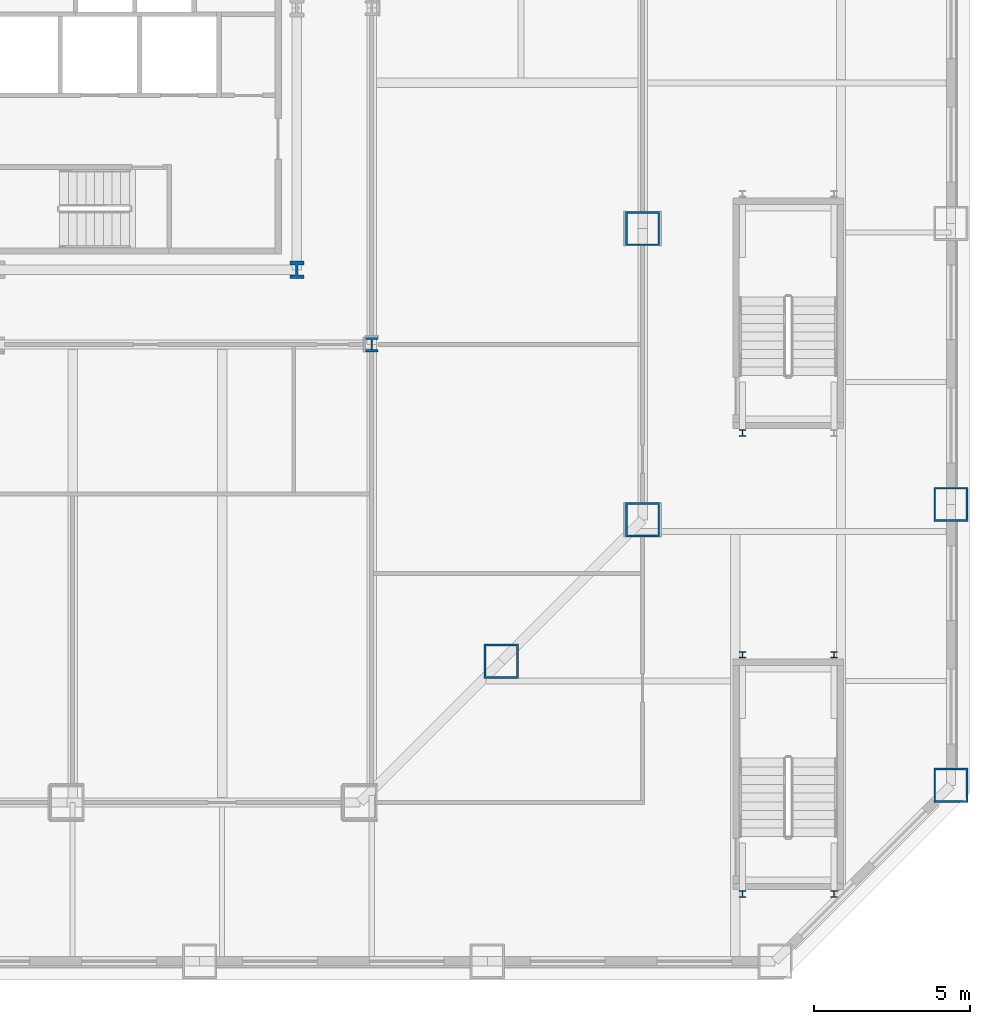
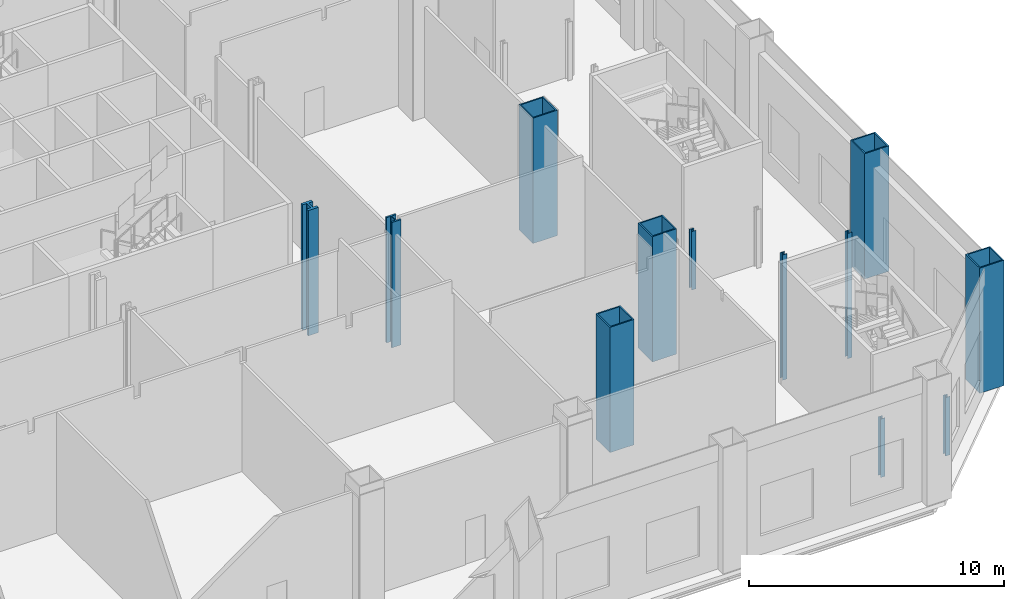
# One storey, part 5 of 31: 12 columns.
"""IFC4 building model written with IfcOpenShell, lengths in metres."""

from ifc_helpers import new_model, si_unit, direction, frame, origin, origin_2d, place, context, subcontext, project, spatial, hollow_rectangle, i_section, extrude, material, material_profile, profile_set, type_object, element, save


model = new_model("IFC4")

# Units and contexts
model_context = context("Model", 3, precision=1e-05, world=origin(), true_north=direction((0.0, 1.0)))
body_context = subcontext(model_context, "Body", "Model", "MODEL_VIEW")
ifc_project = project(units=[si_unit("LENGTHUNIT", "METRE"), si_unit("AREAUNIT", "SQUARE_METRE"), si_unit("VOLUMEUNIT", "CUBIC_METRE"), si_unit("PLANEANGLEUNIT", "RADIAN"), si_unit("MASSUNIT", "GRAM", prefix="KILO")], contexts=[model_context])

# Site, building, storey
site_placement = place(None, origin())
site = spatial("IfcSite", under=ifc_project, at=site_placement, CompositionType="ELEMENT")
building_placement = place(site_placement, origin())
building = spatial("IfcBuilding", under=site, at=building_placement, Name="Cairn Pilgrim Tower", CompositionType="ELEMENT")
storey_placement = place(building_placement, frame((0.0, 0.0, 15.0)))
storey = spatial("IfcBuildingStorey", under=building, at=storey_placement, Name="L02", CompositionType="ELEMENT", Elevation=15.0)

# Columns
ifc_material_1 = material(Name="Structural steel S460M", Category="steel")
ifc_material_profile_1 = material_profile(ifc_material_1, hollow_rectangle(XDim=1.10009765625, YDim=1.10009765625, WallThickness=0.06005859375, at=origin_2d()), Name="BOX 1100x1100x60")
ifc_profile_set_1 = profile_set([ifc_material_profile_1], Name="Structural steel S460M")
column_type_1 = type_object("IfcColumnType", Name="BOX 1100x1100x60", PredefinedType="COLUMN", material=ifc_profile_set_1)
for number, where, z_axis, x_axis, name in (
    (1, (23.363525390625, -18.563720703125, -0.199951171875), (0.0, 0.0, 1.0), (1.0, 0.0, 0.0), "PC1-SE2"),
    (2, (27.89990234375, -14.027099609375, -0.199951171875), (0.0, 0.0, 1.0), (1.0, 0.0, 0.0), "PC1-E1"),
    (3, (27.89990234375, -4.67578125, -0.199951171875), (0.0, 0.0, 1.0), (1.0, 0.0, 0.0), "PC1-E2"),
):
    element("IfcColumn", number, at=place(storey_placement, frame(where, z_axis=z_axis, x_axis=x_axis)), inside=storey, type_object=column_type_1, Name=name, PredefinedType="COLUMN", context=body_context, shape_type="SweptSolid", body=[
        extrude(hollow_rectangle(XDim=1.10009765625, YDim=1.10009765625, WallThickness=0.06005859375, at=origin_2d()), origin(), (0.0, 0.0, 1.0), 6.0),
    ])
ifc_material_profile_2 = material_profile(ifc_material_1, i_section(OverallWidth=0.4541015625, OverallDepth=0.569091796875, WebThickness=0.077880859375, FlangeThickness=0.125, FilletRadius=0.014892578125, at=origin_2d()), Name="HD 400x1086")
ifc_profile_set_2 = profile_set([ifc_material_profile_2], Name="Structural steel S460M")
column_type_2 = type_object("IfcColumnType", Name="HD 400x1086", PredefinedType="COLUMN", material=ifc_profile_set_2)
column_1_placement = place(storey_placement, frame((16.800048828125, -6.0, -0.199951171875), z_axis=(0.0, 0.0, 1.0), x_axis=(1.0, 0.0, 0.0)))
element("IfcColumn", 4, at=column_1_placement, inside=storey, type_object=column_type_2, Name="KC-3", PredefinedType="COLUMN", context=body_context, shape_type="SweptSolid", body=[
    extrude(i_section(OverallWidth=0.4541015625, OverallDepth=0.569091796875, WebThickness=0.077880859375, FlangeThickness=0.125, FilletRadius=0.014892578125, at=origin_2d()), origin(), (0.0, 0.0, 1.0), 6.0),
])
ifc_material_profile_3 = material_profile(ifc_material_1, i_section(OverallWidth=0.424072265625, OverallDepth=0.47412109375, WebThickness=0.047607421875, FlangeThickness=0.0771484375, FilletRadius=0.014892578125, at=origin_2d()), Name="HD 400x634")
ifc_profile_set_3 = profile_set([ifc_material_profile_3], Name="Structural steel S460M")
column_type_3 = type_object("IfcColumnType", Name="HD 400x634", PredefinedType="COLUMN", material=ifc_profile_set_3)
column_2_placement = place(storey_placement, frame((19.199951171875, -8.39990234375, -0.199951171875), z_axis=(0.0, 0.0, 1.0), x_axis=(1.0, 0.0, 0.0)))
element("IfcColumn", 5, at=column_2_placement, inside=storey, type_object=column_type_3, Name="IC-3", PredefinedType="COLUMN", context=body_context, shape_type="SweptSolid", body=[
    extrude(i_section(OverallWidth=0.424072265625, OverallDepth=0.47412109375, WebThickness=0.047607421875, FlangeThickness=0.0771484375, FilletRadius=0.014892578125, at=origin_2d()), origin(), (0.0, 0.0, 1.0), 6.0),
])
ifc_material_profile_4 = material_profile(ifc_material_1, hollow_rectangle(XDim=1.10009765625, YDim=1.10009765625, WallThickness=0.06005859375, at=origin_2d()), Name="BOX 1100x1100x60")
ifc_profile_set_4 = profile_set([ifc_material_profile_4], Name="Structural steel S460M")
column_type_4 = type_object("IfcColumnType", Name="PILOTIS CFT 1100", PredefinedType="COLUMN", material=ifc_profile_set_4)
for number, where, z_axis, x_axis, name in (
    (6, (37.800048828125, -22.551513671875, 0.0), (0.0, 0.0, 1.0), (1.0, 0.0, 0.0), "PILOTIS PL-E1"),
    (7, (37.800048828125, -13.531005859375, 0.0), (0.0, 0.0, 1.0), (1.0, 0.0, 0.0), "PILOTIS PL-E2"),
):
    element("IfcColumn", number, at=place(storey_placement, frame(where, z_axis=z_axis, x_axis=x_axis)), inside=storey, type_object=column_type_4, Name=name, PredefinedType="COLUMN", context=body_context, shape_type="SweptSolid", body=[
        extrude(hollow_rectangle(XDim=1.10009765625, YDim=1.10009765625, WallThickness=0.06005859375, at=origin_2d()), origin(), (0.0, 0.0, 1.0), 6.0),
    ])
ifc_material_2 = material(Name="Structural steel S355J2", Category="steel")
ifc_material_profile_5 = material_profile(ifc_material_2, i_section(OverallWidth=0.199951171875, OverallDepth=0.199951171875, WebThickness=0.009033203125, FlangeThickness=0.014892578125, FilletRadius=0.01806640625, at=origin_2d()), Name="HE 200 B")
ifc_profile_set_5 = profile_set([ifc_material_profile_5], Name="Structural steel S355J2")
column_type_5 = type_object("IfcColumnType", Name="STAIR POST HE 200 B", PredefinedType="COLUMN", material=ifc_profile_set_5)
for number, where, z_axis, x_axis, name in (
    (8, (31.10498046875, -18.360107421875, 0.0), (0.0, 0.0, 1.0), (1.0, 0.0, 0.0), "STAIR POST LP-ES1-NA"),
    (9, (34.044921875, -18.360107421875, 0.0), (0.0, 0.0, 1.0), (1.0, 0.0, 0.0), "STAIR POST LP-ES1-NB"),
):
    element("IfcColumn", number, at=place(storey_placement, frame(where, z_axis=z_axis, x_axis=x_axis)), inside=storey, type_object=column_type_5, Name=name, PredefinedType="COLUMN", context=body_context, shape_type="SweptSolid", body=[
        extrude(i_section(OverallWidth=0.199951171875, OverallDepth=0.199951171875, WebThickness=0.009033203125, FlangeThickness=0.014892578125, FilletRadius=0.01806640625, at=origin_2d()), origin(), (0.0, 0.0, 1.0), 6.0),
    ])
for number, where, z_axis, x_axis, name in (
    (10, (31.10498046875, -26.0400390625, 0.0), (0.0, 0.0, 1.0), (1.0, 0.0, 0.0), "STAIR POST LP-ES1-SA"),
    (11, (34.044921875, -26.0400390625, 0.0), (0.0, 0.0, 1.0), (1.0, 0.0, 0.0), "STAIR POST LP-ES1-SB"),
    (12, (31.10498046875, -11.239990234375, 0.0), (0.0, 0.0, 1.0), (1.0, 0.0, 0.0), "STAIR POST LP-ES2-SA"),
):
    element("IfcColumn", number, at=place(storey_placement, frame(where, z_axis=z_axis, x_axis=x_axis)), inside=storey, type_object=column_type_5, Name=name, PredefinedType="COLUMN", context=body_context, shape_type="SweptSolid", body=[
        extrude(i_section(OverallWidth=0.199951171875, OverallDepth=0.199951171875, WebThickness=0.009033203125, FlangeThickness=0.014892578125, FilletRadius=0.01806640625, at=origin_2d()), origin(), (0.0, 0.0, 1.0), 2.800048828125),
    ])

save(model, "model.ifc")
